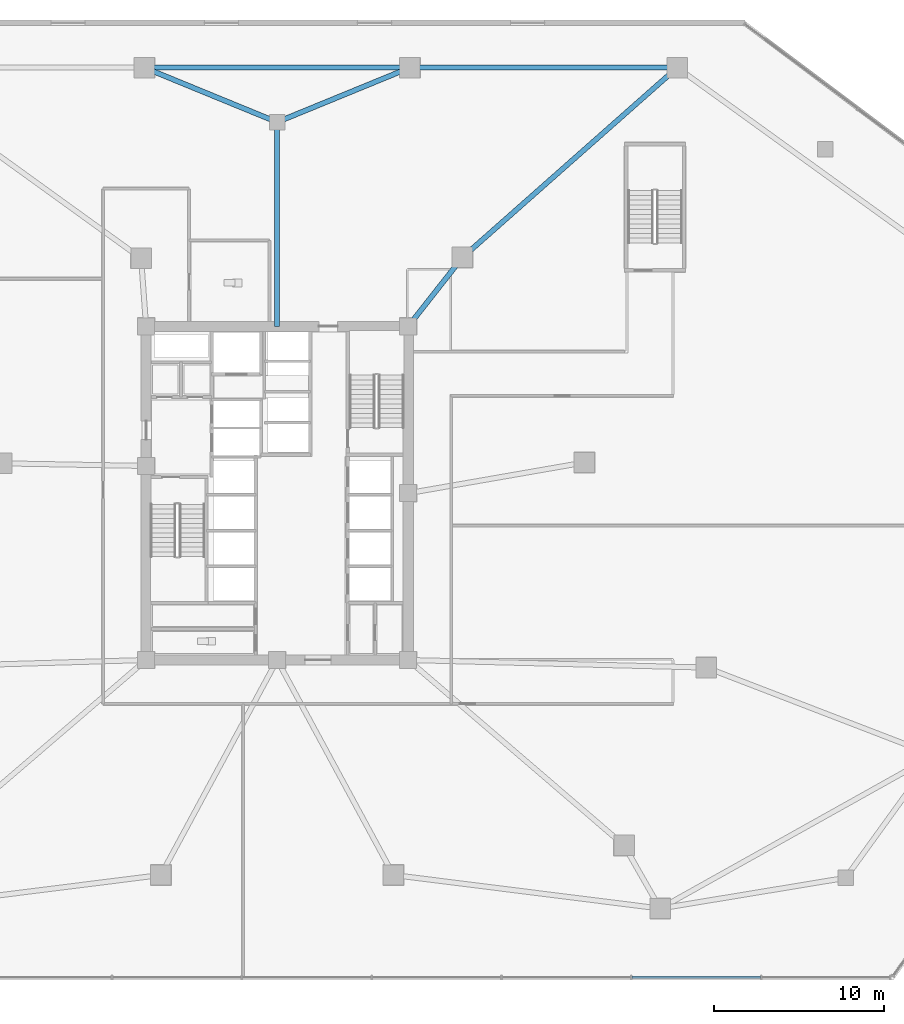
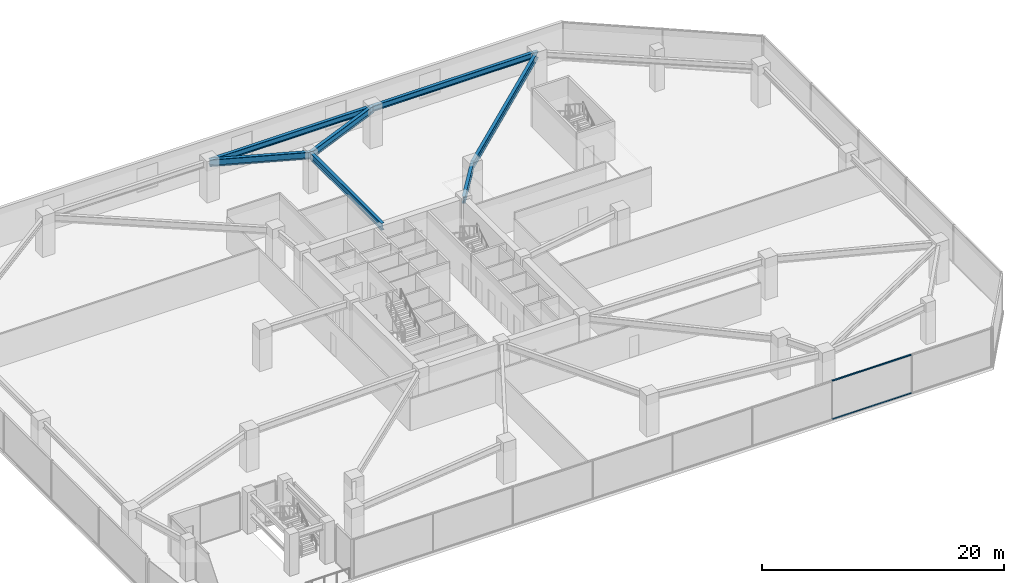
# One storey, part 7 of 21: 7 beams, 2 members, 1 element without a shape of its own.
"""IFC4 building model written with IfcOpenShell, lengths in metres."""

from ifc_helpers import new_model, si_unit, direction, frame, origin, origin_2d, place, context, subcontext, project, spatial, rectangle, i_section, extrude, material, material_profile, profile_set, type_object, element, aggregate, save


model = new_model("IFC4")

# Units and contexts
model_context = context("Model", 3, precision=1e-05, world=origin(), true_north=direction((0.0, 1.0)))
body_context = subcontext(model_context, "Body", "Model", "MODEL_VIEW")
ifc_project = project(units=[si_unit("LENGTHUNIT", "METRE"), si_unit("AREAUNIT", "SQUARE_METRE"), si_unit("VOLUMEUNIT", "CUBIC_METRE"), si_unit("PLANEANGLEUNIT", "RADIAN"), si_unit("MASSUNIT", "GRAM", prefix="KILO")], contexts=[model_context])

# Site, building, storey
site_placement = place(None, origin())
site = spatial("IfcSite", under=ifc_project, at=site_placement, CompositionType="ELEMENT")
building_placement = place(site_placement, origin())
building = spatial("IfcBuilding", under=site, at=building_placement, Name="Savorim Split Tower", CompositionType="ELEMENT")
storey_placement = place(building_placement, frame((0.0, 0.0, 9.199951171875)))
storey = spatial("IfcBuildingStorey", under=building, at=storey_placement, Name="L02", CompositionType="ELEMENT", Elevation=9.199951171875)

# Beams
ifc_material_1 = material(Name="Steel S355", Category="steel")
ifc_material_profile_1 = material_profile(ifc_material_1, i_section(OverallWidth=0.300048828125, OverallDepth=0.699951171875, WebThickness=0.01708984375, FlangeThickness=0.031982421875, FilletRadius=0.027099609375, at=origin_2d()), Name="HEB 700")
ifc_profile_set_1 = profile_set([ifc_material_profile_1], Name="Steel S355")
beam_type_1 = type_object("IfcBeamType", Name="BM-PRI-HEB700", PredefinedType="BEAM", material=ifc_profile_set_1)
beam_1_placement = place(storey_placement, frame((23.5, 25.39990234375, 3.570068359375), z_axis=(-0.749278545997, -0.66225498149, 0.0), x_axis=(0.66225498149, -0.749278545997, 0.0)))
element("IfcBeam", 1, at=beam_1_placement, inside=storey, type_object=beam_type_1, Name="L02 Podium Primary Girder BG-11", PredefinedType="BEAM", context=body_context, shape_type="SweptSolid", body=[
    extrude(i_section(OverallWidth=0.300048828125, OverallDepth=0.699951171875, WebThickness=0.01708984375, FlangeThickness=0.031982421875, FilletRadius=0.027099609375, at=origin_2d()), origin(), (0.0, 0.0, 1.0), 16.83544921875),
])
for number, where, z_axis, x_axis, name in (
    (2, (7.800048828125, 25.39990234375, 3.570068359375), (-0.925171486421, -0.379549365317, 0.0), (0.379549365317, -0.925171486421, 0.0), "L02 Podium Primary Girder BG-12"),
    (3, (-7.800048828125, 25.39990234375, 3.570068359375), (0.925171486421, -0.379549365317, 0.0), (0.379549365317, 0.925171486421, 0.0), "L02 Podium Primary Girder BG-13"),
):
    element("IfcBeam", number, at=place(storey_placement, frame(where, z_axis=z_axis, x_axis=x_axis)), inside=storey, type_object=beam_type_1, Name=name, PredefinedType="BEAM", context=body_context, shape_type="SweptSolid", body=[
        extrude(i_section(OverallWidth=0.300048828125, OverallDepth=0.699951171875, WebThickness=0.01708984375, FlangeThickness=0.031982421875, FilletRadius=0.027099609375, at=origin_2d()), origin(), (0.0, 0.0, 1.0), 8.430908203125),
    ])
beam_2_placement = place(storey_placement, frame((0.0, 22.199951171875, 3.570068359375), z_axis=(0.0, -1.0, 0.0), x_axis=(1.0, 0.0, 0.0)))
element("IfcBeam", 4, at=beam_2_placement, inside=storey, type_object=beam_type_1, Name="L02 Podium Primary Girder BG-14", PredefinedType="BEAM", context=body_context, shape_type="SweptSolid", body=[
    extrude(i_section(OverallWidth=0.300048828125, OverallDepth=0.699951171875, WebThickness=0.01708984375, FlangeThickness=0.031982421875, FilletRadius=0.027099609375, at=origin_2d()), origin(), (0.0, 0.0, 1.0), 12.0),
])
beam_3_placement = place(storey_placement, frame((10.885498046875, 14.25048828125, 3.570068359375), z_axis=(-0.618179283891, -0.786037132054, 0.0), x_axis=(0.786037132054, -0.618179283891, 0.0)))
element("IfcBeam", 5, at=beam_3_placement, inside=storey, type_object=beam_type_1, Name="L02 Podium Primary Girder BG-28", PredefinedType="BEAM", context=body_context, shape_type="SweptSolid", body=[
    extrude(i_section(OverallWidth=0.300048828125, OverallDepth=0.699951171875, WebThickness=0.01708984375, FlangeThickness=0.031982421875, FilletRadius=0.027099609375, at=origin_2d()), origin(), (0.0, 0.0, 1.0), 5.153076171875),
])
ifc_material_profile_2 = material_profile(ifc_material_1, i_section(OverallWidth=0.300048828125, OverallDepth=0.590087890625, WebThickness=0.012939453125, FlangeThickness=0.02490234375, FilletRadius=0.027099609375, at=origin_2d()), Name="HEA 600")
ifc_profile_set_2 = profile_set([ifc_material_profile_2], Name="Steel S355")
beam_type_2 = type_object("IfcBeamType", Name="BM-SPN-HEA600", PredefinedType="SPANDREL", material=ifc_profile_set_2)
beam_4_placement = place(storey_placement, frame((23.5, 25.39990234375, 3.625), z_axis=(-1.0, 0.0, 0.0), x_axis=(0.0, -1.0, 0.0)))
element("IfcBeam", 6, at=beam_4_placement, inside=storey, type_object=beam_type_2, Name="L02 Podium Spandrel Beam 6", PredefinedType="SPANDREL", context=body_context, shape_type="SweptSolid", body=[
    extrude(i_section(OverallWidth=0.300048828125, OverallDepth=0.590087890625, WebThickness=0.012939453125, FlangeThickness=0.02490234375, FilletRadius=0.027099609375, at=origin_2d()), origin(), (0.0, 0.0, 1.0), 15.699951171875),
])
beam_5_placement = place(storey_placement, frame((7.800048828125, 25.39990234375, 3.625), z_axis=(-1.0, 0.0, 0.0), x_axis=(0.0, -1.0, 0.0)))
element("IfcBeam", 7, at=beam_5_placement, inside=storey, type_object=beam_type_2, Name="L02 Podium Spandrel Beam 7", PredefinedType="SPANDREL", context=body_context, shape_type="SweptSolid", body=[
    extrude(i_section(OverallWidth=0.300048828125, OverallDepth=0.590087890625, WebThickness=0.012939453125, FlangeThickness=0.02490234375, FilletRadius=0.027099609375, at=origin_2d()), origin(), (0.0, 0.0, 1.0), 15.60009765625),
])

# Curtain wall, members
ifc_material_2 = material(Name="Dark Ceramic-Fritted Insulated Glass", Category="glass")
curtain_wall_type = type_object("IfcCurtainWallType", Name="CW-POD-GLZ", PredefinedType="NOTDEFINED", material=ifc_material_2)
curtain_wall_placement = place(storey_placement, origin())
curtain_wall = element("IfcCurtainWall", 8, at=curtain_wall_placement, inside=storey, type_object=curtain_wall_type, Name="L02 Curtain Wall CW-L02-E04", PredefinedType="NOTDEFINED")
ifc_material_3 = material(Name="Charcoal Anodised Aluminium", Category="aluminium")
ifc_material_profile_3 = material_profile(ifc_material_3, rectangle(XDim=0.159912109375, YDim=0.06005859375, at=origin_2d()), Name="ALU-T 160x60")
ifc_profile_set_3 = profile_set([ifc_material_profile_3], Name="Charcoal Anodised Aluminium")
member_type = type_object("IfcMemberType", Name="CWT-160x60", PredefinedType="USERDEFINED", material=ifc_profile_set_3)
member_1_placement = place(storey_placement, frame((20.84130859375, -28.0400390625, 0.030029296875), z_axis=(1.0, 0.0, 0.0), x_axis=(0.0, 1.0, 0.0)))
member_1 = element("IfcMember", 9, at=member_1_placement, type_object=member_type, Name="CW-01 transom 7.1", ObjectType="TRANSOM", PredefinedType="USERDEFINED", context=body_context, shape_type="SweptSolid", body=[
    extrude(rectangle(XDim=0.159912109375, YDim=0.06005859375, at=origin_2d()), origin(), (0.0, 0.0, 1.0), 7.556884765625),
])
member_2_placement = place(storey_placement, frame((20.84130859375, -28.0400390625, 3.89013671875), z_axis=(1.0, 0.0, 0.0), x_axis=(0.0, 1.0, 0.0)))
member_2 = element("IfcMember", 10, at=member_2_placement, type_object=member_type, Name="CW-01 transom 7.2", ObjectType="TRANSOM", PredefinedType="USERDEFINED", context=body_context, shape_type="SweptSolid", body=[
    extrude(rectangle(XDim=0.159912109375, YDim=0.06005859375, at=origin_2d()), origin(), (0.0, 0.0, 1.0), 7.556884765625),
])
aggregate(curtain_wall, [member_1, member_2])

save(model, "model.ifc")
